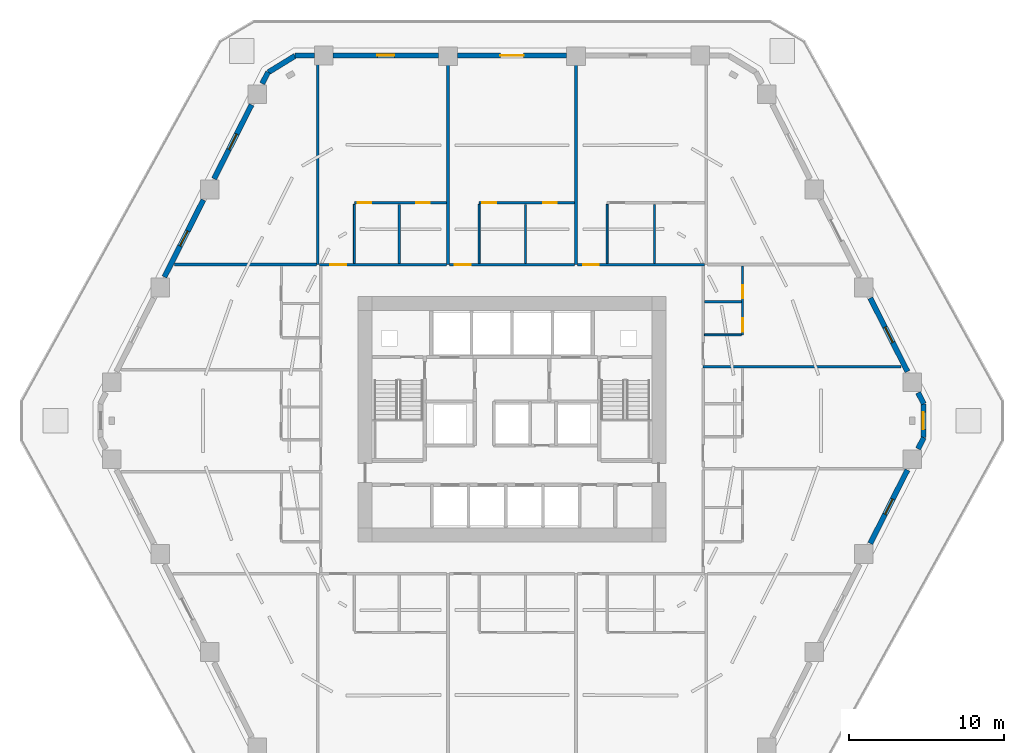
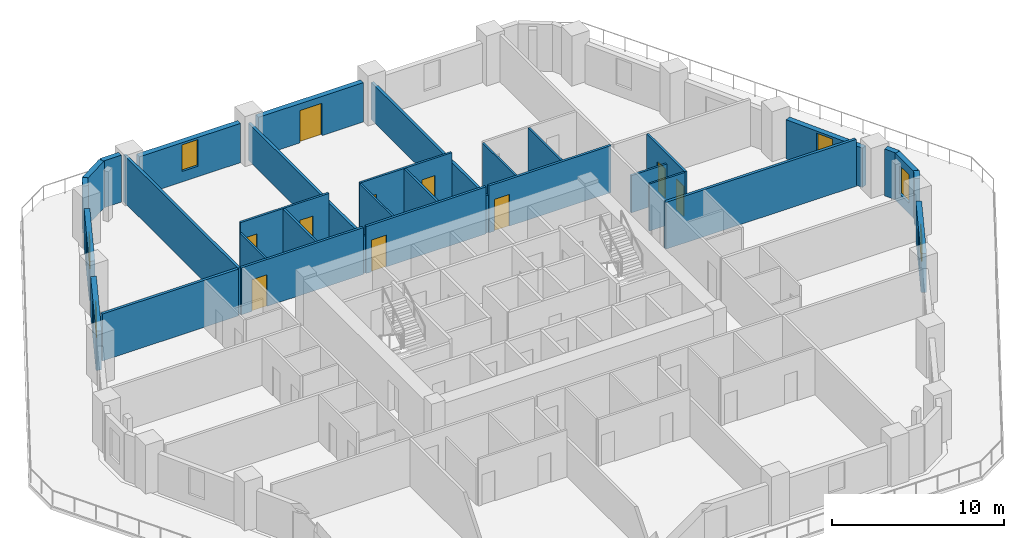
# One storey, part 6 of 10: 31 walls, 10 doors, 6 windows, 16 openings.
"""IFC4 building model written with IfcOpenShell, lengths in metres."""

from ifc_helpers import new_model, si_unit, direction, frame, frame_2d, origin, place, context, subcontext, project, spatial, rectangle, extrude, material, layer, layer_set, type_object, element, fill, save


model = new_model("IFC4")

# Units and contexts
model_context = context("Model", 3, precision=1e-05, world=origin(), true_north=direction((0.0, 1.0)))
body_context = subcontext(model_context, "Body", "Model", "MODEL_VIEW")
ifc_project = project(units=[si_unit("LENGTHUNIT", "METRE"), si_unit("AREAUNIT", "SQUARE_METRE"), si_unit("VOLUMEUNIT", "CUBIC_METRE"), si_unit("PLANEANGLEUNIT", "RADIAN"), si_unit("MASSUNIT", "GRAM", prefix="KILO")], contexts=[model_context])

# Site, building, storey
site_placement = place(None, origin())
site = spatial("IfcSite", under=ifc_project, at=site_placement, CompositionType="ELEMENT")
building_placement = place(site_placement, origin())
building = spatial("IfcBuilding", under=site, at=building_placement, Name="Cinnabar Lancet Tower", CompositionType="ELEMENT")
storey_placement = place(building_placement, frame((0.0, 0.0, 24.89990234375)))
storey = spatial("IfcBuildingStorey", under=building, at=storey_placement, Name="L05", CompositionType="ELEMENT", Elevation=24.89990234375)

# Wall, opening, door
ifc_material_1 = material(Name="Acoustic twin-stud gypsum partition", Category="gypsum")
ifc_layer_1 = layer(ifc_material_1, 0.159912109375)
ifc_layer_set_1 = layer_set([ifc_layer_1], Name="Acoustic twin-stud gypsum partition")
wall_type_1 = type_object("IfcWallType", Name="ARC-WL-CORR-160", PredefinedType="PARTITIONING", material=ifc_layer_set_1)
wall_1_placement = place(storey_placement, frame((19.9951171875, 35.85009765625, 0.0), z_axis=(0.0, 0.0, 1.0), x_axis=(1.0, 0.0, 0.0)))
wall_1 = element("IfcWall", 1, at=wall_1_placement, inside=storey, type_object=wall_type_1, Name="L05 Unit N01 Corridor Wall", PredefinedType="PARTITIONING", context=body_context, shape_type="SweptSolid", body=[
    extrude(rectangle(XDim=8.18798828125, YDim=0.159912109375, at=frame_2d((4.093994140625, 0.0))), origin(), (0.0, 0.0, 1.0), 3.330078125),
])
opening_1_placement = place(wall_1_placement, frame((0.705078125, 0.0, 0.0)))
opening_1 = element("IfcOpeningElement", 2, at=opening_1_placement, cuts=wall_1, Name="Opening UD-01", PredefinedType="OPENING", context=body_context, shape_type="SweptSolid", body=[
    extrude(rectangle(XDim=1.02001953125, YDim=2.25, at=frame_2d((0.510009765625, 1.125))), frame((0.0, 0.08984375, 0.0), z_axis=(0.0, -1.0, 0.0), x_axis=(1.0, 0.0, 0.0)), (0.0, 0.0, 1.0), 0.179931640625),
])
ifc_material_2 = material(Name="Solid timber fire-rated apartment entrance door", Category="wood")
door_type_1 = type_object("IfcDoorType", Name="ARC-DR-UNIT", OperationType="NOTDEFINED", PredefinedType="DOOR", material=ifc_material_2)
door_1_placement = place(opening_1_placement, origin())
door_1 = element("IfcDoor", 3, at=door_1_placement, inside=storey, type_object=door_type_1, Name="DR-L05-N01-ENT", OperationType="SINGLE_SWING_RIGHT", OverallHeight=2.25, OverallWidth=1.02001953125, PredefinedType="DOOR", context=body_context, shape_type="SweptSolid", body=[
    extrude(rectangle(XDim=1.02001953125, YDim=2.25, at=frame_2d((0.510009765625, 1.125))), frame((0.0, 0.02490234375, 0.0), z_axis=(0.0, -1.0, 0.0), x_axis=(1.0, 0.0, 0.0)), (0.0, 0.0, 1.0), 0.050048828125),
])
fill(opening_1, door_1)

wall_2_placement = place(storey_placement, frame((28.373046875, 35.85009765625, 0.0), z_axis=(0.0, 0.0, 1.0), x_axis=(1.0, 0.0, 0.0)))
wall_2 = element("IfcWall", 4, at=wall_2_placement, inside=storey, type_object=wall_type_1, Name="L05 Unit N02 Corridor Wall", PredefinedType="PARTITIONING", context=body_context, shape_type="SweptSolid", body=[
    extrude(rectangle(XDim=8.053955078125, YDim=0.159912109375, at=frame_2d((4.02685546875, 0.0))), origin(), (0.0, 0.0, 1.0), 3.330078125),
])
opening_2_placement = place(wall_2_placement, frame((0.35498046875, 0.0, 0.0)))
opening_2 = element("IfcOpeningElement", 5, at=opening_2_placement, cuts=wall_2, Name="Opening UD-01", PredefinedType="OPENING", context=body_context, shape_type="SweptSolid", body=[
    extrude(rectangle(XDim=1.02001953125, YDim=2.25, at=frame_2d((0.510009765625, 1.125))), frame((0.0, 0.08984375, 0.0), z_axis=(0.0, -1.0, 0.0), x_axis=(1.0, 0.0, 0.0)), (0.0, 0.0, 1.0), 0.179931640625),
])
door_2_placement = place(opening_2_placement, origin())
door_2 = element("IfcDoor", 6, at=door_2_placement, inside=storey, type_object=door_type_1, Name="DR-L05-N02-ENT", OperationType="SINGLE_SWING_LEFT", OverallHeight=2.25, OverallWidth=1.02001953125, PredefinedType="DOOR", context=body_context, shape_type="SweptSolid", body=[
    extrude(rectangle(XDim=1.02001953125, YDim=2.25, at=frame_2d((0.510009765625, 1.125))), frame((0.0, 0.02490234375, 0.0), z_axis=(0.0, -1.0, 0.0), x_axis=(1.0, 0.0, 0.0)), (0.0, 0.0, 1.0), 0.050048828125),
])
fill(opening_2, door_2)

wall_3_placement = place(storey_placement, frame((36.616943359375, 35.85009765625, 0.0), z_axis=(0.0, 0.0, 1.0), x_axis=(1.0, 0.0, 0.0)))
wall_3 = element("IfcWall", 7, at=wall_3_placement, inside=storey, type_object=wall_type_1, Name="L05 Unit N03 Corridor Wall", PredefinedType="PARTITIONING", context=body_context, shape_type="SweptSolid", body=[
    extrude(rectangle(XDim=8.18798828125, YDim=0.159912109375, at=frame_2d((4.093994140625, 0.0))), origin(), (0.0, 0.0, 1.0), 3.330078125),
])
opening_3_placement = place(wall_3_placement, frame((0.35498046875, 0.0, 0.0)))
opening_3 = element("IfcOpeningElement", 8, at=opening_3_placement, cuts=wall_3, Name="Opening UD-01", PredefinedType="OPENING", context=body_context, shape_type="SweptSolid", body=[
    extrude(rectangle(XDim=1.02001953125, YDim=2.25, at=frame_2d((0.510009765625, 1.125))), frame((0.0, 0.08984375, 0.0), z_axis=(0.0, -1.0, 0.0), x_axis=(1.0, 0.0, 0.0)), (0.0, 0.0, 1.0), 0.179931640625),
])
door_3_placement = place(opening_3_placement, origin())
door_3 = element("IfcDoor", 9, at=door_3_placement, inside=storey, type_object=door_type_1, Name="DR-L05-N03-ENT", OperationType="SINGLE_SWING_RIGHT", OverallHeight=2.25, OverallWidth=1.02001953125, PredefinedType="DOOR", context=body_context, shape_type="SweptSolid", body=[
    extrude(rectangle(XDim=1.02001953125, YDim=2.25, at=frame_2d((0.510009765625, 1.125))), frame((0.0, 0.02490234375, 0.0), z_axis=(0.0, -1.0, 0.0), x_axis=(1.0, 0.0, 0.0)), (0.0, 0.0, 1.0), 0.050048828125),
])
fill(opening_3, door_3)

# Walls
ifc_material_3 = material(Name="Fire-rated twin-frame acoustic drywall", Category="gypsum")
ifc_layer_2 = layer(ifc_material_3, 0.179931640625)
ifc_layer_set_2 = layer_set([ifc_layer_2], Name="Fire-rated twin-frame acoustic drywall")
wall_type_2 = type_object("IfcWallType", Name="ARC-WL-PARTY-180", PredefinedType="PARTITIONING", material=ifc_layer_set_2)
wall_4_placement = place(storey_placement, frame((19.89990234375, 35.85009765625, 0.0), z_axis=(0.0, 0.0, 1.0), x_axis=(0.0, 1.0, 0.0)))
element("IfcWall", 10, at=wall_4_placement, inside=storey, type_object=wall_type_2, Name="PW-L05-NPTY-199", PredefinedType="PARTITIONING", context=body_context, shape_type="SweptSolid", body=[
    extrude(rectangle(XDim=13.294921875, YDim=0.179931640625, at=frame_2d((6.6474609375, 0.0))), origin(), (0.0, 0.0, 1.0), 3.330078125),
])
for number, where, z_axis, x_axis, name in (
    (11, (28.278076171875, 35.85009765625, 0.0), (0.0, 0.0, 1.0), (0.0, 1.0, 0.0), "PW-L05-NPTY-283"),
    (12, (36.52197265625, 35.85009765625, 0.0), (0.0, 0.0, 1.0), (0.0, 1.0, 0.0), "PW-L05-NPTY-365"),
):
    element("IfcWall", number, at=place(storey_placement, frame(where, z_axis=z_axis, x_axis=x_axis)), inside=storey, type_object=wall_type_2, Name=name, PredefinedType="PARTITIONING", context=body_context, shape_type="SweptSolid", body=[
        extrude(rectangle(XDim=13.294921875, YDim=0.179931640625, at=frame_2d((6.6474609375, 0.0))), origin(), (0.0, 0.0, 1.0), 2.63720703125),
    ])
wall_5_placement = place(storey_placement, frame((10.6650390625, 35.85009765625, 0.0), z_axis=(0.0, 0.0, 1.0), x_axis=(1.0, 0.0, 0.0)))
element("IfcWall", 13, at=wall_5_placement, inside=storey, type_object=wall_type_2, Name="PW-L05-WNB", PredefinedType="PARTITIONING", context=body_context, shape_type="SweptSolid", body=[
    extrude(rectangle(XDim=9.139892578125, YDim=0.179931640625, at=frame_2d((4.56982421875, 0.0))), origin(), (0.0, 0.0, 1.0), 3.330078125),
])
wall_6_placement = place(storey_placement, frame((44.699951171875, 29.282958984375, 0.0), z_axis=(0.0, 0.0, 1.0), x_axis=(1.0, 0.0, 0.0)))
element("IfcWall", 14, at=wall_6_placement, inside=storey, type_object=wall_type_2, Name="PW-L05-EPTY-2", PredefinedType="PARTITIONING", context=body_context, shape_type="SweptSolid", body=[
    extrude(rectangle(XDim=12.758056640625, YDim=0.179931640625, at=frame_2d((6.37890625, 0.0))), origin(), (0.0, 0.0, 1.0), 3.330078125),
])
ifc_material_4 = material(Name="Gypsum plasterboard stud partition", Category="gypsum")
ifc_layer_3 = layer(ifc_material_4, 0.125)
ifc_layer_set_3 = layer_set([ifc_layer_3], Name="Gypsum plasterboard stud partition")
wall_type_3 = type_object("IfcWallType", Name="ARC-WL-UNIT-125", PredefinedType="PARTITIONING", material=ifc_layer_set_3)
wall_7_placement = place(storey_placement, frame((22.25, 35.93505859375, 0.0), z_axis=(0.0, 0.0, 1.0), x_axis=(0.0, 1.0, 0.0)))
element("IfcWall", 15, at=wall_7_placement, inside=storey, type_object=wall_type_3, Name="UW-L05-N01-FOYE", PredefinedType="PARTITIONING", context=body_context, shape_type="SweptSolid", body=[
    extrude(rectangle(XDim=3.798828125, YDim=0.125, at=frame_2d((1.8994140625, 0.0))), origin(), (0.0, 0.0, 1.0), 2.63720703125),
])
for number, where, z_axis, x_axis, name in (
    (16, (30.278076171875, 35.93505859375, 0.0), (0.0, 0.0, 1.0), (0.0, 1.0, 0.0), "UW-L05-N02-FOYE"),
    (17, (38.52197265625, 35.93505859375, 0.0), (0.0, 0.0, 1.0), (0.0, 1.0, 0.0), "UW-L05-N03-FOYE"),
):
    element("IfcWall", number, at=place(storey_placement, frame(where, z_axis=z_axis, x_axis=x_axis)), inside=storey, type_object=wall_type_3, Name=name, PredefinedType="PARTITIONING", context=body_context, shape_type="SweptSolid", body=[
        extrude(rectangle(XDim=3.798828125, YDim=0.125, at=frame_2d((1.8994140625, 0.0))), origin(), (0.0, 0.0, 1.0), 3.330078125),
    ])
wall_8_placement = place(storey_placement, frame((44.784912109375, 31.3330078125, 0.0), z_axis=(0.0, 0.0, 1.0), x_axis=(1.0, 0.0, 0.0)))
element("IfcWall", 18, at=wall_8_placement, inside=storey, type_object=wall_type_3, Name="UW-L05-E03-FOYN", PredefinedType="PARTITIONING", context=body_context, shape_type="SweptSolid", body=[
    extrude(rectangle(XDim=2.380126953125, YDim=0.125, at=frame_2d((1.18994140625, 0.0))), origin(), (0.0, 0.0, 1.0), 3.330078125),
])

# Wall, openings, doors
ifc_material_5 = material(Name="Moisture-resistant cement-board plumbing wall", Category="masonry")
ifc_layer_4 = layer(ifc_material_5, 0.139892578125)
ifc_layer_set_4 = layer_set([ifc_layer_4], Name="Moisture-resistant cement-board plumbing wall")
wall_type_4 = type_object("IfcWallType", Name="ARC-WL-WET-140", PredefinedType="PLUMBINGWALL", material=ifc_layer_set_4)
wall_9_placement = place(storey_placement, frame((22.25, 39.839111328125, 0.0), z_axis=(0.0, 0.0, 1.0), x_axis=(1.0, 0.0, 0.0)))
wall_9 = element("IfcWall", 19, at=wall_9_placement, inside=storey, type_object=wall_type_4, Name="UW-L05-N01-SPL", PredefinedType="PLUMBINGWALL", context=body_context, shape_type="SweptSolid", body=[
    extrude(rectangle(XDim=5.93310546875, YDim=0.139892578125, at=frame_2d((2.966552734375, 0.0))), origin(), (0.0, 0.0, 1.0), 3.330078125),
])
opening_4_placement = place(wall_9_placement, frame((3.988037109375, 0.0, 0.0)))
opening_4 = element("IfcOpeningElement", 20, at=opening_4_placement, cuts=wall_9, Name="Opening BD-01", PredefinedType="OPENING", context=body_context, shape_type="SweptSolid", body=[
    extrude(rectangle(XDim=0.860107421875, YDim=2.10009765625, at=frame_2d((0.43017578125, 1.050048828125))), frame((0.0, 0.079833984375, 0.0), z_axis=(0.0, -1.0, 0.0), x_axis=(1.0, 0.0, 0.0)), (0.0, 0.0, 1.0), 0.159912109375),
])
opening_5_placement = place(wall_9_placement, frame((0.219970703125, 0.0, 0.0)))
opening_5 = element("IfcOpeningElement", 21, at=opening_5_placement, cuts=wall_9, Name="Opening RD-02", PredefinedType="OPENING", context=body_context, shape_type="SweptSolid", body=[
    extrude(rectangle(XDim=0.8798828125, YDim=2.14990234375, at=frame_2d((0.43994140625, 1.074951171875))), frame((0.0, 0.079833984375, 0.0), z_axis=(0.0, -1.0, 0.0), x_axis=(1.0, 0.0, 0.0)), (0.0, 0.0, 1.0), 0.159912109375),
])
ifc_material_6 = material(Name="Moisture-resistant timber bathroom door", Category="wood")
door_type_2 = type_object("IfcDoorType", Name="ARC-DR-BATH", OperationType="NOTDEFINED", PredefinedType="DOOR", material=ifc_material_6)
door_4_placement = place(opening_4_placement, origin())
door_4 = element("IfcDoor", 22, at=door_4_placement, inside=storey, type_object=door_type_2, Name="DR-L05-N01-BTH", OperationType="SINGLE_SWING_RIGHT", OverallHeight=2.10009765625, OverallWidth=0.860107421875, PredefinedType="DOOR", context=body_context, shape_type="SweptSolid", body=[
    extrude(rectangle(XDim=0.860107421875, YDim=2.10009765625, at=frame_2d((0.43017578125, 1.050048828125))), frame((0.0, 0.02490234375, 0.0), z_axis=(0.0, -1.0, 0.0), x_axis=(1.0, 0.0, 0.0)), (0.0, 0.0, 1.0), 0.050048828125),
])
fill(opening_4, door_4)
ifc_material_7 = material(Name="Engineered timber study door", Category="wood")
door_type_3 = type_object("IfcDoorType", Name="ARC-DR-STUDY", OperationType="NOTDEFINED", PredefinedType="DOOR", material=ifc_material_7)
door_5_placement = place(opening_5_placement, origin())
door_5 = element("IfcDoor", 23, at=door_5_placement, inside=storey, type_object=door_type_3, Name="DR-L05-N01-KIT", OperationType="SINGLE_SWING_LEFT", OverallHeight=2.14990234375, OverallWidth=0.8798828125, PredefinedType="DOOR", context=body_context, shape_type="SweptSolid", body=[
    extrude(rectangle(XDim=0.8798828125, YDim=2.14990234375, at=frame_2d((0.43994140625, 1.074951171875))), frame((0.0, 0.02490234375, 0.0), z_axis=(0.0, -1.0, 0.0), x_axis=(1.0, 0.0, 0.0)), (0.0, 0.0, 1.0), 0.050048828125),
])
fill(opening_5, door_5)

# Wall
wall_10_placement = place(storey_placement, frame((25.14306640625, 35.93505859375, 0.0), z_axis=(0.0, 0.0, 1.0), x_axis=(0.0, 1.0, 0.0)))
element("IfcWall", 24, at=wall_10_placement, inside=storey, type_object=wall_type_4, Name="UW-L05-N01-KDV", PredefinedType="PLUMBINGWALL", context=body_context, shape_type="SweptSolid", body=[
    extrude(rectangle(XDim=3.798828125, YDim=0.139892578125, at=frame_2d((1.8994140625, 0.0))), origin(), (0.0, 0.0, 1.0), 3.330078125),
])

# Wall, openings, doors
wall_11_placement = place(storey_placement, frame((30.278076171875, 39.839111328125, 0.0), z_axis=(0.0, 0.0, 1.0), x_axis=(1.0, 0.0, 0.0)))
wall_11 = element("IfcWall", 25, at=wall_11_placement, inside=storey, type_object=wall_type_4, Name="UW-L05-N02-SPL", PredefinedType="PLUMBINGWALL", context=body_context, shape_type="SweptSolid", body=[
    extrude(rectangle(XDim=6.14892578125, YDim=0.139892578125, at=frame_2d((3.074462890625, 0.0))), origin(), (0.0, 0.0, 1.0), 3.330078125),
])
opening_6_placement = place(wall_11_placement, frame((4.14794921875, 0.0, 0.0)))
opening_6 = element("IfcOpeningElement", 26, at=opening_6_placement, cuts=wall_11, Name="Opening BD-01", PredefinedType="OPENING", context=body_context, shape_type="SweptSolid", body=[
    extrude(rectangle(XDim=0.860107421875, YDim=2.10009765625, at=frame_2d((0.43017578125, 1.050048828125))), frame((0.0, 0.079833984375, 0.0), z_axis=(0.0, -1.0, 0.0), x_axis=(1.0, 0.0, 0.0)), (0.0, 0.0, 1.0), 0.159912109375),
])
opening_7_placement = place(wall_11_placement, frame((0.219970703125, 0.0, 0.0)))
opening_7 = element("IfcOpeningElement", 27, at=opening_7_placement, cuts=wall_11, Name="Opening RD-02", PredefinedType="OPENING", context=body_context, shape_type="SweptSolid", body=[
    extrude(rectangle(XDim=0.8798828125, YDim=2.14990234375, at=frame_2d((0.43994140625, 1.074951171875))), frame((0.0, 0.079833984375, 0.0), z_axis=(0.0, -1.0, 0.0), x_axis=(1.0, 0.0, 0.0)), (0.0, 0.0, 1.0), 0.159912109375),
])
door_6_placement = place(opening_6_placement, origin())
door_6 = element("IfcDoor", 28, at=door_6_placement, inside=storey, type_object=door_type_2, Name="DR-L05-N02-BTH", OperationType="SINGLE_SWING_LEFT", OverallHeight=2.10009765625, OverallWidth=0.860107421875, PredefinedType="DOOR", context=body_context, shape_type="SweptSolid", body=[
    extrude(rectangle(XDim=0.860107421875, YDim=2.10009765625, at=frame_2d((0.43017578125, 1.050048828125))), frame((0.0, 0.02490234375, 0.0), z_axis=(0.0, -1.0, 0.0), x_axis=(1.0, 0.0, 0.0)), (0.0, 0.0, 1.0), 0.050048828125),
])
fill(opening_6, door_6)
door_7_placement = place(opening_7_placement, origin())
door_7 = element("IfcDoor", 29, at=door_7_placement, inside=storey, type_object=door_type_3, Name="DR-L05-N02-KIT", OperationType="SINGLE_SWING_RIGHT", OverallHeight=2.14990234375, OverallWidth=0.8798828125, PredefinedType="DOOR", context=body_context, shape_type="SweptSolid", body=[
    extrude(rectangle(XDim=0.8798828125, YDim=2.14990234375, at=frame_2d((0.43994140625, 1.074951171875))), frame((0.0, 0.02490234375, 0.0), z_axis=(0.0, -1.0, 0.0), x_axis=(1.0, 0.0, 0.0)), (0.0, 0.0, 1.0), 0.050048828125),
])
fill(opening_7, door_7)

# Walls
for number, where, z_axis, x_axis, name in (
    (30, (33.27490234375, 35.93505859375, 0.0), (0.0, 0.0, 1.0), (0.0, 1.0, 0.0), "UW-L05-N02-KDV"),
    (31, (41.5830078125, 35.93505859375, 0.0), (0.0, 0.0, 1.0), (0.0, 1.0, 0.0), "UW-L05-N03-KDV"),
):
    element("IfcWall", number, at=place(storey_placement, frame(where, z_axis=z_axis, x_axis=x_axis)), inside=storey, type_object=wall_type_4, Name=name, PredefinedType="PLUMBINGWALL", context=body_context, shape_type="SweptSolid", body=[
        extrude(rectangle(XDim=3.798828125, YDim=0.139892578125, at=frame_2d((1.8994140625, 0.0))), origin(), (0.0, 0.0, 1.0), 3.330078125),
    ])

# Wall, openings, doors
wall_12_placement = place(storey_placement, frame((47.25, 31.3330078125, 0.0), z_axis=(0.0, 0.0, 1.0), x_axis=(0.0, 1.0, 0.0)))
wall_12 = element("IfcWall", 32, at=wall_12_placement, inside=storey, type_object=wall_type_4, Name="UW-L05-E03-SPL", PredefinedType="PLUMBINGWALL", context=body_context, shape_type="SweptSolid", body=[
    extrude(rectangle(XDim=4.421875, YDim=0.139892578125, at=frame_2d((2.2109375, 0.0))), origin(), (0.0, 0.0, 1.0), 3.330078125),
])
opening_8_placement = place(wall_12_placement, frame((2.343017578125, 0.0, 0.0)))
opening_8 = element("IfcOpeningElement", 33, at=opening_8_placement, cuts=wall_12, Name="Opening BD-01", PredefinedType="OPENING", context=body_context, shape_type="SweptSolid", body=[
    extrude(rectangle(XDim=0.860107421875, YDim=2.10009765625, at=frame_2d((0.43017578125, 1.050048828125))), frame((0.0, 0.079833984375, 0.0), z_axis=(0.0, -1.0, 0.0), x_axis=(1.0, 0.0, 0.0)), (0.0, 0.0, 1.0), 0.159912109375),
])
opening_9_placement = place(wall_12_placement, frame((0.199951171875, 0.0, 0.0)))
opening_9 = element("IfcOpeningElement", 34, at=opening_9_placement, cuts=wall_12, Name="Opening RD-02", PredefinedType="OPENING", context=body_context, shape_type="SweptSolid", body=[
    extrude(rectangle(XDim=0.8798828125, YDim=2.14990234375, at=frame_2d((0.43994140625, 1.074951171875))), frame((0.0, 0.079833984375, 0.0), z_axis=(0.0, -1.0, 0.0), x_axis=(1.0, 0.0, 0.0)), (0.0, 0.0, 1.0), 0.159912109375),
])
door_8_placement = place(opening_8_placement, origin())
door_8 = element("IfcDoor", 35, at=door_8_placement, inside=storey, type_object=door_type_2, Name="DR-L05-E03-BTH", OperationType="SINGLE_SWING_RIGHT", OverallHeight=2.10009765625, OverallWidth=0.860107421875, PredefinedType="DOOR", context=body_context, shape_type="SweptSolid", body=[
    extrude(rectangle(XDim=0.860107421875, YDim=2.10009765625, at=frame_2d((0.43017578125, 1.050048828125))), frame((0.0, 0.02490234375, 0.0), z_axis=(0.0, -1.0, 0.0), x_axis=(1.0, 0.0, 0.0)), (0.0, 0.0, 1.0), 0.050048828125),
])
fill(opening_8, door_8)
door_9_placement = place(opening_9_placement, origin())
door_9 = element("IfcDoor", 36, at=door_9_placement, inside=storey, type_object=door_type_3, Name="DR-L05-E03-KIT", OperationType="SINGLE_SWING_LEFT", OverallHeight=2.14990234375, OverallWidth=0.8798828125, PredefinedType="DOOR", context=body_context, shape_type="SweptSolid", body=[
    extrude(rectangle(XDim=0.8798828125, YDim=2.14990234375, at=frame_2d((0.43994140625, 1.074951171875))), frame((0.0, 0.02490234375, 0.0), z_axis=(0.0, -1.0, 0.0), x_axis=(1.0, 0.0, 0.0)), (0.0, 0.0, 1.0), 0.050048828125),
])
fill(opening_9, door_9)

# Wall
wall_13_placement = place(storey_placement, frame((44.784912109375, 33.4560546875, 0.0), z_axis=(0.0, 0.0, 1.0), x_axis=(1.0, 0.0, 0.0)))
element("IfcWall", 37, at=wall_13_placement, inside=storey, type_object=wall_type_4, Name="UW-L05-E03-KDV", PredefinedType="PLUMBINGWALL", context=body_context, shape_type="SweptSolid", body=[
    extrude(rectangle(XDim=2.380126953125, YDim=0.139892578125, at=frame_2d((1.18994140625, 0.0))), origin(), (0.0, 0.0, 1.0), 2.63720703125),
])

# Wall, opening, window
ifc_material_8 = material(Name="Cinnabar red clay brick", Category="masonry")
ifc_layer_5 = layer(ifc_material_8, 0.340087890625)
ifc_layer_set_5 = layer_set([ifc_layer_5], Name="Cinnabar red clay brick")
wall_type_5 = type_object("IfcWallType", Name="ENV-WL-BRK-RED-340", PredefinedType="STANDARD", material=ifc_layer_set_5)
wall_14_placement = place(storey_placement, frame((58.887939453125, 24.714111328125, 0.0), z_axis=(0.0, 0.0, 1.0), x_axis=(0.0, 1.0, 0.0)))
wall_14 = element("IfcWall", 38, at=wall_14_placement, inside=storey, type_object=wall_type_5, Name="L05 Chamfered Corner Brick Pier 3.1", PredefinedType="STANDARD", context=body_context, shape_type="SweptSolid", body=[
    extrude(rectangle(XDim=2.171875, YDim=0.340087890625, at=frame_2d((1.0859375, 0.0))), origin(), (0.0, 0.0, 1.0), 3.330078125),
])
opening_10_placement = place(wall_14_placement, frame((0.535888671875, 0.0, 0.75)))
opening_10 = element("IfcOpeningElement", 39, at=opening_10_placement, cuts=wall_14, Name="Opening WN-04", PredefinedType="OPENING", context=body_context, shape_type="SweptSolid", body=[
    extrude(rectangle(XDim=1.10009765625, YDim=2.0, at=frame_2d((0.550048828125, 1.0))), frame((0.0, 0.179931640625, 0.0), z_axis=(0.0, -1.0, 0.0), x_axis=(1.0, 0.0, 0.0)), (0.0, 0.0, 1.0), 0.360107421875),
])
ifc_material_9 = material(Name="Thermally broken bronze-anodized aluminium tall lancet window", Category="aluminium")
window_type = type_object("IfcWindowType", Name="ENV-WN-LANCET-1100", PartitioningType="SINGLE_PANEL", PredefinedType="WINDOW", material=ifc_material_9)
window_1_placement = place(opening_10_placement, origin())
window_1 = element("IfcWindow", 40, at=window_1_placement, inside=storey, type_object=window_type, Name="L05 Dwelling Gothic Lancet Window 295", OverallHeight=2.0, OverallWidth=1.10009765625, PartitioningType="SINGLE_PANEL", PredefinedType="WINDOW", context=body_context, shape_type="SweptSolid", body=[
    extrude(rectangle(XDim=1.10009765625, YDim=2.0, at=frame_2d((0.550048828125, 1.0))), frame((0.0, 0.030029296875, 0.0), z_axis=(0.0, -1.0, 0.0), x_axis=(1.0, 0.0, 0.0)), (0.0, 0.0, 1.0), 0.06005859375),
])
fill(opening_10, window_1)

# Wall
wall_15_placement = place(storey_placement, frame((18.43896484375, 49.294921875, 0.0), z_axis=(0.0, 0.0, 1.0), x_axis=(-0.851870104345, -0.523753114857, 0.0)))
element("IfcWall", 41, at=wall_15_placement, inside=storey, type_object=wall_type_5, Name="L05 Chamfered Corner Brick Pier 5.1", PredefinedType="STANDARD", context=body_context, shape_type="SweptSolid", body=[
    extrude(rectangle(XDim=2.017822265625, YDim=0.340087890625, at=frame_2d((1.0087890625, 0.0))), origin(), (0.0, 0.0, 1.0), 3.330078125),
])

# Wall, opening, window
wall_16_placement = place(storey_placement, frame((55.465087890625, 17.90087890625, 0.0), z_axis=(0.0, 0.0, 1.0), x_axis=(0.451572088722, 0.892234637686, 0.0)))
wall_16 = element("IfcWall", 42, at=wall_16_placement, inside=storey, type_object=wall_type_5, Name="L05 Face 2 Masonry Bay Wall 4", PredefinedType="STANDARD", context=body_context, shape_type="SweptSolid", body=[
    extrude(rectangle(XDim=5.3037109375, YDim=0.340087890625, at=frame_2d((2.65185546875, 0.0))), origin(), (0.0, 0.0, 1.0), 2.787109375),
])
opening_11_placement = place(wall_16_placement, frame((2.10205078125, 0.0, 0.75)))
opening_11 = element("IfcOpeningElement", 43, at=opening_11_placement, cuts=wall_16, Name="Opening WN-04", PredefinedType="OPENING", context=body_context, shape_type="SweptSolid", body=[
    extrude(rectangle(XDim=1.10009765625, YDim=1.886962890625, at=frame_2d((0.550048828125, 0.943359375))), frame((0.0, 0.179931640625, 0.0), z_axis=(0.0, -1.0, 0.0), x_axis=(1.0, 0.0, 0.0)), (0.0, 0.0, 1.0), 0.360107421875),
])
window_2_placement = place(opening_11_placement, origin())
window_2 = element("IfcWindow", 44, at=window_2_placement, inside=storey, type_object=window_type, Name="L05 Face 2 Gothic Lancet Window 4", OverallHeight=1.886962890625, OverallWidth=1.10009765625, PartitioningType="SINGLE_PANEL", PredefinedType="WINDOW", context=body_context, shape_type="SweptSolid", body=[
    extrude(rectangle(XDim=1.10009765625, YDim=1.886962890625, at=frame_2d((0.550048828125, 0.943359375))), frame((0.0, 0.030029296875, 0.0), z_axis=(0.0, -1.0, 0.0), x_axis=(1.0, 0.0, 0.0)), (0.0, 0.0, 1.0), 0.06005859375),
])
fill(opening_11, window_2)

# Walls
for number, where, z_axis, x_axis, name in (
    (45, (58.548095703125, 23.9951171875, 0.0), (0.0, 0.0, 1.0), (0.452101093511, 0.891966704113, 0.0), "L05 Face 2 Masonry Bay Wall 5"),
    (46, (58.908935546875, 26.89306640625, 0.0), (0.0, 0.0, 1.0), (-0.452101093511, 0.891966704113, 0.0), "L05 Face 3 Masonry Bay Wall 1"),
):
    element("IfcWall", number, at=place(storey_placement, frame(where, z_axis=z_axis, x_axis=x_axis)), inside=storey, type_object=wall_type_5, Name=name, PredefinedType="STANDARD", context=body_context, shape_type="SweptSolid", body=[
        extrude(rectangle(XDim=0.798095703125, YDim=0.340087890625, at=frame_2d((0.39892578125, 0.0))), origin(), (0.0, 0.0, 1.0), 3.330078125),
    ])

# Wall, opening, window
wall_17_placement = place(storey_placement, frame((57.860107421875, 28.967041015625, 0.0), z_axis=(0.0, 0.0, 1.0), x_axis=(-0.451590635984, 0.892225250422, 0.0)))
wall_17 = element("IfcWall", 47, at=wall_17_placement, inside=storey, type_object=wall_type_5, Name="L05 Face 3 Masonry Bay Wall 2", PredefinedType="STANDARD", context=body_context, shape_type="SweptSolid", body=[
    extrude(rectangle(XDim=5.303466796875, YDim=0.340087890625, at=frame_2d((2.65185546875, 0.0))), origin(), (0.0, 0.0, 1.0), 2.787109375),
])
opening_12_placement = place(wall_17_placement, frame((2.10205078125, 0.0, 0.75)))
opening_12 = element("IfcOpeningElement", 48, at=opening_12_placement, cuts=wall_17, Name="Opening WN-04", PredefinedType="OPENING", context=body_context, shape_type="SweptSolid", body=[
    extrude(rectangle(XDim=1.10009765625, YDim=1.886962890625, at=frame_2d((0.550048828125, 0.943359375))), frame((0.0, 0.179931640625, 0.0), z_axis=(0.0, -1.0, 0.0), x_axis=(1.0, 0.0, 0.0)), (0.0, 0.0, 1.0), 0.360107421875),
])
window_3_placement = place(opening_12_placement, origin())
window_3 = element("IfcWindow", 49, at=window_3_placement, inside=storey, type_object=window_type, Name="L05 Face 3 Gothic Lancet Window 2", OverallHeight=1.886962890625, OverallWidth=1.10009765625, PartitioningType="SINGLE_PANEL", PredefinedType="WINDOW", context=body_context, shape_type="SweptSolid", body=[
    extrude(rectangle(XDim=1.10009765625, YDim=1.886962890625, at=frame_2d((0.550048828125, 0.943359375))), frame((0.0, 0.030029296875, 0.0), z_axis=(0.0, -1.0, 0.0), x_axis=(1.0, 0.0, 0.0)), (0.0, 0.0, 1.0), 0.06005859375),
])
fill(opening_12, window_3)

# Wall, opening, door
wall_18_placement = place(storey_placement, frame((35.91796875, 49.320068359375, 0.0), z_axis=(0.0, 0.0, 1.0), x_axis=(-1.0, 0.0, 0.0)))
wall_18 = element("IfcWall", 50, at=wall_18_placement, inside=storey, type_object=wall_type_5, Name="L05 Face 4 Masonry Bay Wall 3", PredefinedType="STANDARD", context=body_context, shape_type="SweptSolid", body=[
    extrude(rectangle(XDim=7.035888671875, YDim=0.340087890625, at=frame_2d((3.51806640625, 0.0))), origin(), (0.0, 0.0, 1.0), 2.787109375),
])
opening_13_placement = place(wall_18_placement, frame((2.76806640625, 0.0, 0.0)))
opening_13 = element("IfcOpeningElement", 51, at=opening_13_placement, cuts=wall_18, Name="Opening TD-02", PredefinedType="OPENING", context=body_context, shape_type="SweptSolid", body=[
    extrude(rectangle(XDim=1.5, YDim=2.300048828125, at=frame_2d((0.75, 1.14990234375))), frame((0.0, 0.179931640625, 0.0), z_axis=(0.0, -1.0, 0.0), x_axis=(1.0, 0.0, 0.0)), (0.0, 0.0, 1.0), 0.360107421875),
])
ifc_material_10 = material(Name="Thermally broken low-E glazed sky-terrace double door", Category="wood")
door_type_4 = type_object("IfcDoorType", Name="ARC-DR-STER", OperationType="NOTDEFINED", PredefinedType="DOOR", material=ifc_material_10)
door_10_placement = place(opening_13_placement, origin())
door_10 = element("IfcDoor", 52, at=door_10_placement, inside=storey, type_object=door_type_4, Name="L05 Face 4 Glazed Terrace Door", OperationType="SINGLE_SWING_LEFT", OverallHeight=2.300048828125, OverallWidth=1.5, PredefinedType="DOOR", context=body_context, shape_type="SweptSolid", body=[
    extrude(rectangle(XDim=1.5, YDim=2.300048828125, at=frame_2d((0.75, 1.14990234375))), frame((0.0, 0.02490234375, 0.0), z_axis=(0.0, -1.0, 0.0), x_axis=(1.0, 0.0, 0.0)), (0.0, 0.0, 1.0), 0.050048828125),
])
fill(opening_13, door_10)

# Wall, opening, window
wall_19_placement = place(storey_placement, frame((27.674072265625, 49.320068359375, 0.0), z_axis=(0.0, 0.0, 1.0), x_axis=(-1.0, 0.0, 0.0)))
wall_19 = element("IfcWall", 53, at=wall_19_placement, inside=storey, type_object=wall_type_5, Name="L05 Face 4 Masonry Bay Wall 4", PredefinedType="STANDARD", context=body_context, shape_type="SweptSolid", body=[
    extrude(rectangle(XDim=6.787109375, YDim=0.340087890625, at=frame_2d((3.3935546875, 0.0))), origin(), (0.0, 0.0, 1.0), 2.787109375),
])
opening_14_placement = place(wall_19_placement, frame((2.843017578125, 0.0, 0.75)))
opening_14 = element("IfcOpeningElement", 54, at=opening_14_placement, cuts=wall_19, Name="Opening WN-04", PredefinedType="OPENING", context=body_context, shape_type="SweptSolid", body=[
    extrude(rectangle(XDim=1.10009765625, YDim=1.886962890625, at=frame_2d((0.550048828125, 0.943359375))), frame((0.0, 0.179931640625, 0.0), z_axis=(0.0, -1.0, 0.0), x_axis=(1.0, 0.0, 0.0)), (0.0, 0.0, 1.0), 0.360107421875),
])
window_4_placement = place(opening_14_placement, origin())
window_4 = element("IfcWindow", 55, at=window_4_placement, inside=storey, type_object=window_type, Name="L05 Face 4 Gothic Lancet Window 4", OverallHeight=1.886962890625, OverallWidth=1.10009765625, PartitioningType="SINGLE_PANEL", PredefinedType="WINDOW", context=body_context, shape_type="SweptSolid", body=[
    extrude(rectangle(XDim=1.10009765625, YDim=1.886962890625, at=frame_2d((0.550048828125, 0.943359375))), frame((0.0, 0.030029296875, 0.0), z_axis=(0.0, -1.0, 0.0), x_axis=(1.0, 0.0, 0.0)), (0.0, 0.0, 1.0), 0.06005859375),
])
fill(opening_14, window_4)

# Walls
wall_20_placement = place(storey_placement, frame((19.678955078125, 49.320068359375, 0.0), z_axis=(0.0, 0.0, 1.0), x_axis=(-1.0, 0.0, 0.0)))
element("IfcWall", 56, at=wall_20_placement, inside=storey, type_object=wall_type_5, Name="L05 Face 4 Masonry Bay Wall 5", PredefinedType="STANDARD", context=body_context, shape_type="SweptSolid", body=[
    extrude(rectangle(XDim=1.244873046875, YDim=0.340087890625, at=frame_2d((0.62255859375, 0.0))), origin(), (0.0, 0.0, 1.0), 3.330078125),
])
wall_21_placement = place(storey_placement, frame((16.699951171875, 48.25390625, 0.0), z_axis=(0.0, 0.0, 1.0), x_axis=(-0.451995771866, -0.892020079491, 0.0)))
element("IfcWall", 57, at=wall_21_placement, inside=storey, type_object=wall_type_5, Name="L05 Face 5 Masonry Bay Wall 1", PredefinedType="STANDARD", context=body_context, shape_type="SweptSolid", body=[
    extrude(rectangle(XDim=0.836181640625, YDim=0.340087890625, at=frame_2d((0.41796875, 0.0))), origin(), (0.0, 0.0, 1.0), 3.330078125),
])

# Wall, opening, window
wall_22_placement = place(storey_placement, frame((15.634033203125, 46.14599609375, 0.0), z_axis=(0.0, 0.0, 1.0), x_axis=(-0.451697561555, -0.892171123095, 0.0)))
wall_22 = element("IfcWall", 58, at=wall_22_placement, inside=storey, type_object=wall_type_5, Name="L05 Face 5 Masonry Bay Wall 2", PredefinedType="STANDARD", context=body_context, shape_type="SweptSolid", body=[
    extrude(rectangle(XDim=5.350830078125, YDim=0.340087890625, at=frame_2d((2.67529296875, 0.0))), origin(), (0.0, 0.0, 1.0), 2.787109375),
])
opening_15_placement = place(wall_22_placement, frame((2.125, 0.0, 0.75)))
opening_15 = element("IfcOpeningElement", 59, at=opening_15_placement, cuts=wall_22, Name="Opening WN-04", PredefinedType="OPENING", context=body_context, shape_type="SweptSolid", body=[
    extrude(rectangle(XDim=1.10009765625, YDim=1.886962890625, at=frame_2d((0.550048828125, 0.943359375))), frame((0.0, 0.179931640625, 0.0), z_axis=(0.0, -1.0, 0.0), x_axis=(1.0, 0.0, 0.0)), (0.0, 0.0, 1.0), 0.360107421875),
])
window_5_placement = place(opening_15_placement, origin())
window_5 = element("IfcWindow", 60, at=window_5_placement, inside=storey, type_object=window_type, Name="L05 Face 5 Gothic Lancet Window 2", OverallHeight=1.886962890625, OverallWidth=1.10009765625, PartitioningType="SINGLE_PANEL", PredefinedType="WINDOW", context=body_context, shape_type="SweptSolid", body=[
    extrude(rectangle(XDim=1.10009765625, YDim=1.886962890625, at=frame_2d((0.550048828125, 0.943359375))), frame((0.0, 0.030029296875, 0.0), z_axis=(0.0, -1.0, 0.0), x_axis=(1.0, 0.0, 0.0)), (0.0, 0.0, 1.0), 0.06005859375),
])
fill(opening_15, window_5)

wall_23_placement = place(storey_placement, frame((12.529052734375, 40.010009765625, 0.0), z_axis=(0.0, 0.0, 1.0), x_axis=(-0.451627137896, -0.892206774417, 0.0)))
wall_23 = element("IfcWall", 61, at=wall_23_placement, inside=storey, type_object=wall_type_5, Name="L05 Face 5 Masonry Bay Wall 3", PredefinedType="STANDARD", context=body_context, shape_type="SweptSolid", body=[
    extrude(rectangle(XDim=5.546875, YDim=0.340087890625, at=frame_2d((2.7734375, 0.0))), origin(), (0.0, 0.0, 1.0), 2.787109375),
])
opening_16_placement = place(wall_23_placement, frame((2.222900390625, 0.0, 0.75)))
opening_16 = element("IfcOpeningElement", 62, at=opening_16_placement, cuts=wall_23, Name="Opening WN-04", PredefinedType="OPENING", context=body_context, shape_type="SweptSolid", body=[
    extrude(rectangle(XDim=1.10009765625, YDim=1.886962890625, at=frame_2d((0.550048828125, 0.943359375))), frame((0.0, 0.179931640625, 0.0), z_axis=(0.0, -1.0, 0.0), x_axis=(1.0, 0.0, 0.0)), (0.0, 0.0, 1.0), 0.360107421875),
])
window_6_placement = place(opening_16_placement, origin())
window_6 = element("IfcWindow", 63, at=window_6_placement, inside=storey, type_object=window_type, Name="L05 Face 5 Gothic Lancet Window 3", OverallHeight=1.886962890625, OverallWidth=1.10009765625, PartitioningType="SINGLE_PANEL", PredefinedType="WINDOW", context=body_context, shape_type="SweptSolid", body=[
    extrude(rectangle(XDim=1.10009765625, YDim=1.886962890625, at=frame_2d((0.550048828125, 0.943359375))), frame((0.0, 0.030029296875, 0.0), z_axis=(0.0, -1.0, 0.0), x_axis=(1.0, 0.0, 0.0)), (0.0, 0.0, 1.0), 0.06005859375),
])
fill(opening_16, window_6)

save(model, "model.ifc")
